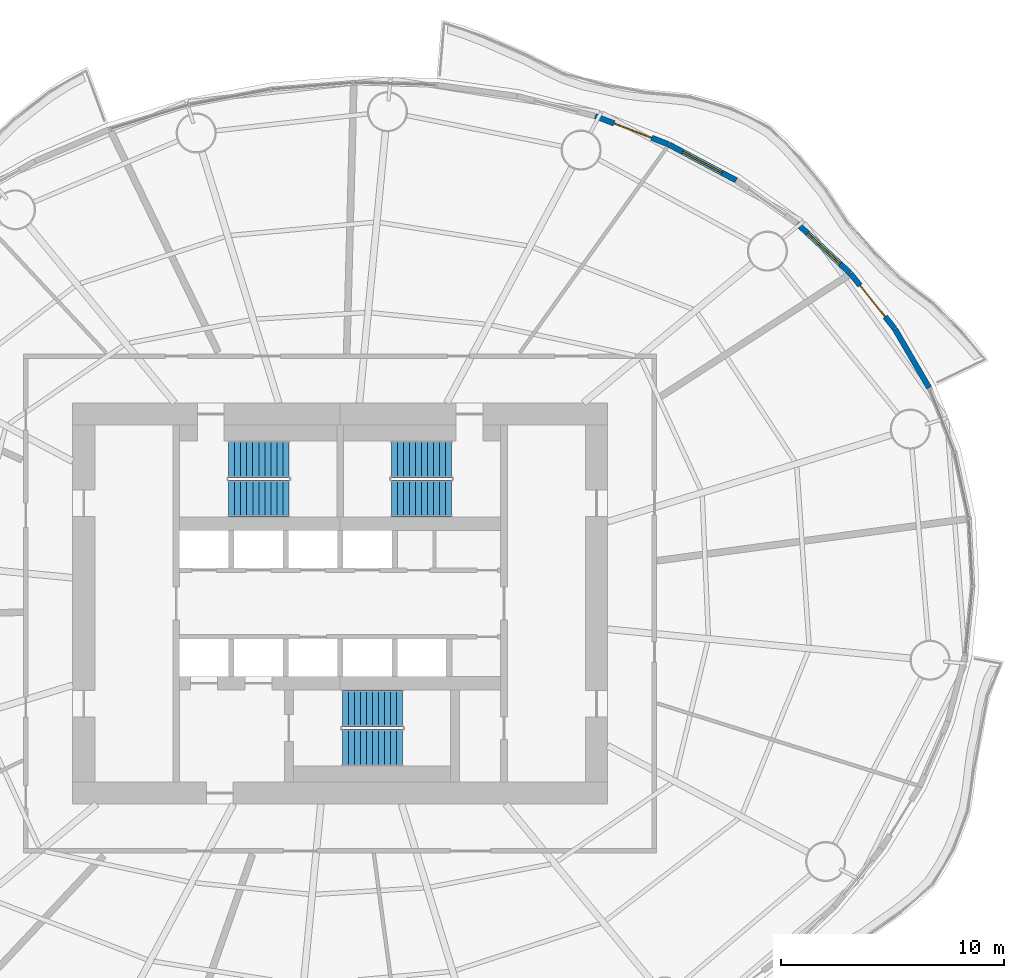
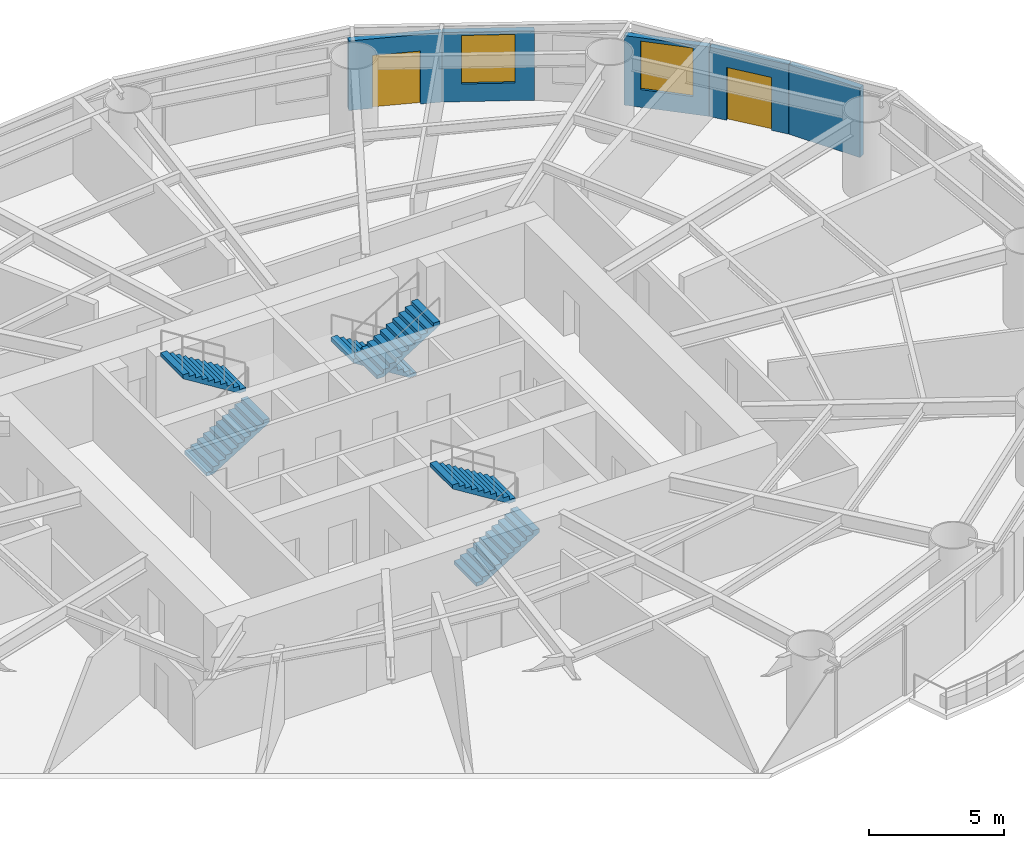
# One storey, part 11 of 16: 6 stair flights, 5 walls, 2 doors, 2 windows, 4 openings, 3 elements without a shape of their own.
"""IFC4 building model written with IfcOpenShell, lengths in metres."""

from ifc_helpers import new_model, si_unit, direction, frame, frame_2d, origin, place, context, subcontext, project, spatial, polyline, rectangle, outline, extrude, material, layer, layer_set, type_object, element, fill, aggregate, save


model = new_model("IFC4")

# Units and contexts
model_context = context("Model", 3, precision=1e-05, world=origin(), true_north=direction((0.0, 1.0)))
body_context = subcontext(model_context, "Body", "Model", "MODEL_VIEW")
ifc_project = project(units=[si_unit("LENGTHUNIT", "METRE"), si_unit("AREAUNIT", "SQUARE_METRE"), si_unit("VOLUMEUNIT", "CUBIC_METRE"), si_unit("PLANEANGLEUNIT", "RADIAN"), si_unit("MASSUNIT", "GRAM", prefix="KILO")], contexts=[model_context])

# Site, building, storey
site_placement = place(None, origin())
site = spatial("IfcSite", under=ifc_project, at=site_placement, CompositionType="ELEMENT")
building_placement = place(site_placement, origin())
building = spatial("IfcBuilding", under=site, at=building_placement, Name="Vermilion Reach Broadcast Tower", CompositionType="ELEMENT")
storey_placement = place(building_placement, frame((0.0, 0.0, 65.60009765625)))
storey = spatial("IfcBuildingStorey", under=building, at=storey_placement, Name="L13", CompositionType="ELEMENT", Elevation=65.60009765625)

# Wall
ifc_material_1 = material(Name="Terracotta rainscreen cladding", Category="masonry")
ifc_layer = layer(ifc_material_1, 0.25)
ifc_layer_set = layer_set([ifc_layer], Name="Terracotta rainscreen wall 250")
wall_type = type_object("IfcWallType", Name="Terracotta rainscreen wall 250", PredefinedType="SOLIDWALL", material=ifc_layer_set)
wall_1_placement = place(storey_placement, frame((20.420654296875, 9.675537109375, 0.0), z_axis=(0.0, 0.0, 1.0), x_axis=(-0.502779258101, 0.864414841163, 0.0)))
element("IfcWall", 1, at=wall_1_placement, inside=storey, type_object=wall_type, Name="External wall L13 02", PredefinedType="SOLIDWALL", context=body_context, shape_type="SweptSolid", body=[
    extrude(rectangle(XDim=3.046142578125, YDim=0.25, at=frame_2d((1.52294921875, 0.0))), origin(), (0.0, 0.0, 1.0), 3.14990234375),
])

# Wall, opening, door
wall_2_placement = place(storey_placement, frame((18.874267578125, 12.33056640625, 0.0), z_axis=(0.0, 0.0, 1.0), x_axis=(-0.625543346061, 0.780189414308, 0.0)))
wall_2 = element("IfcWall", 2, at=wall_2_placement, inside=storey, type_object=wall_type, Name="External wall L13 03", PredefinedType="SOLIDWALL", context=body_context, shape_type="SweptSolid", body=[
    extrude(rectangle(XDim=3.157470703125, YDim=0.25, at=frame_2d((1.57861328125, 0.0))), origin(), (0.0, 0.0, 1.0), 3.14990234375),
])
opening_1_placement = place(wall_2_placement, frame((0.678955078125, 0.0, 0.0)))
opening_1 = element("IfcOpeningElement", 3, at=opening_1_placement, cuts=wall_2, Name="Opening D70", PredefinedType="OPENING", context=body_context, shape_type="SweptSolid", body=[
    extrude(rectangle(XDim=1.800048828125, YDim=2.39990234375, at=frame_2d((0.89990234375, 1.199951171875))), frame((0.0, 0.135009765625, 0.0), z_axis=(0.0, -1.0, 0.0), x_axis=(1.0, 0.0, 0.0)), (0.0, 0.0, 1.0), 0.27001953125),
])
ifc_material_2 = material(Name="Low-e laminated clear glass in aluminium frame", Category="aluminium")
door_type = type_object("IfcDoorType", Name="Balcony sliding door 1800 x 2400", OperationType="DOUBLE_DOOR_SLIDING", PredefinedType="DOOR", material=ifc_material_2)
door_1_placement = place(opening_1_placement, origin())
door_1 = element("IfcDoor", 4, at=door_1_placement, inside=storey, type_object=door_type, Name="Balcony door L13 run 01", OperationType="DOUBLE_DOOR_SLIDING", OverallHeight=2.39990234375, OverallWidth=1.800048828125, PredefinedType="DOOR", context=body_context, shape_type="SweptSolid", body=[
    extrude(rectangle(XDim=1.800048828125, YDim=2.39990234375, at=frame_2d((0.89990234375, 1.199951171875))), frame((0.0, 0.02490234375, 0.0), z_axis=(0.0, -1.0, 0.0), x_axis=(1.0, 0.0, 0.0)), (0.0, 0.0, 1.0), 0.050048828125),
])
fill(opening_1, door_1)

# Wall, opening, window
wall_3_placement = place(storey_placement, frame((16.8818359375, 14.812744140625, 0.0), z_axis=(0.0, 0.0, 1.0), x_axis=(-0.729856637525, 0.68360024039, 0.0)))
wall_3 = element("IfcWall", 5, at=wall_3_placement, inside=storey, type_object=wall_type, Name="External wall L13 04", PredefinedType="SOLIDWALL", context=body_context, shape_type="SweptSolid", body=[
    extrude(rectangle(XDim=3.24072265625, YDim=0.25, at=frame_2d((1.620361328125, 0.0))), origin(), (0.0, 0.0, 1.0), 3.14990234375),
])
opening_2_placement = place(wall_3_placement, frame((0.620361328125, 0.0, 0.800048828125)))
opening_2 = element("IfcOpeningElement", 6, at=opening_2_placement, cuts=wall_3, Name="Opening W01", PredefinedType="OPENING", context=body_context, shape_type="SweptSolid", body=[
    extrude(rectangle(XDim=2.0, YDim=2.199951171875, at=frame_2d((1.0, 1.10009765625))), frame((0.0, 0.135009765625, 0.0), z_axis=(0.0, -1.0, 0.0), x_axis=(1.0, 0.0, 0.0)), (0.0, 0.0, 1.0), 0.27001953125),
])
ifc_material_3 = material(Name="Low-e laminated clear glass in aluminium frame", Category="aluminium")
window_type = type_object("IfcWindowType", Name="Punched window 2000 x 2200 sill 800", PartitioningType="SINGLE_PANEL", PredefinedType="WINDOW", material=ifc_material_3)
window_1_placement = place(opening_2_placement, origin())
window_1 = element("IfcWindow", 7, at=window_1_placement, inside=storey, type_object=window_type, Name="Window L13 04", OverallHeight=2.199951171875, OverallWidth=2.0, PartitioningType="SINGLE_PANEL", PredefinedType="WINDOW", context=body_context, shape_type="SweptSolid", body=[
    extrude(rectangle(XDim=2.0, YDim=2.199951171875, at=frame_2d((1.0, 1.10009765625))), frame((0.0, 0.030029296875, 0.0), z_axis=(0.0, -1.0, 0.0), x_axis=(1.0, 0.0, 0.0)), (0.0, 0.0, 1.0), 0.06005859375),
])
fill(opening_2, window_1)

wall_4_placement = place(storey_placement, frame((11.7607421875, 18.985107421875, 0.0), z_axis=(0.0, 0.0, 1.0), x_axis=(-0.882781118704, 0.469784521308, 0.0)))
wall_4 = element("IfcWall", 8, at=wall_4_placement, inside=storey, type_object=wall_type, Name="External wall L13 06", PredefinedType="SOLIDWALL", context=body_context, shape_type="SweptSolid", body=[
    extrude(rectangle(XDim=3.422119140625, YDim=0.25, at=frame_2d((1.7109375, 0.0))), origin(), (0.0, 0.0, 1.0), 3.14990234375),
])
opening_3_placement = place(wall_4_placement, frame((0.711181640625, 0.0, 0.800048828125)))
opening_3 = element("IfcOpeningElement", 9, at=opening_3_placement, cuts=wall_4, Name="Opening W01", PredefinedType="OPENING", context=body_context, shape_type="SweptSolid", body=[
    extrude(rectangle(XDim=2.0, YDim=2.199951171875, at=frame_2d((1.0, 1.10009765625))), frame((0.0, 0.135009765625, 0.0), z_axis=(0.0, -1.0, 0.0), x_axis=(1.0, 0.0, 0.0)), (0.0, 0.0, 1.0), 0.27001953125),
])
window_2_placement = place(opening_3_placement, origin())
window_2 = element("IfcWindow", 10, at=window_2_placement, inside=storey, type_object=window_type, Name="Window L13 06", OverallHeight=2.199951171875, OverallWidth=2.0, PartitioningType="SINGLE_PANEL", PredefinedType="WINDOW", context=body_context, shape_type="SweptSolid", body=[
    extrude(rectangle(XDim=2.0, YDim=2.199951171875, at=frame_2d((1.0, 1.10009765625))), frame((0.0, 0.030029296875, 0.0), z_axis=(0.0, -1.0, 0.0), x_axis=(1.0, 0.0, 0.0)), (0.0, 0.0, 1.0), 0.06005859375),
])
fill(opening_3, window_2)

# Wall, opening, door
wall_5_placement = place(storey_placement, frame((8.718505859375, 20.6025390625, 0.0), z_axis=(0.0, 0.0, 1.0), x_axis=(-0.933440649203, 0.358731869808, 0.0)))
wall_5 = element("IfcWall", 11, at=wall_5_placement, inside=storey, type_object=wall_type, Name="External wall L13 07", PredefinedType="SOLIDWALL", context=body_context, shape_type="SweptSolid", body=[
    extrude(rectangle(XDim=3.507568359375, YDim=0.25, at=frame_2d((1.75390625, 0.0))), origin(), (0.0, 0.0, 1.0), 3.14990234375),
])
opening_4_placement = place(wall_5_placement, frame((0.803955078125, 0.0, 0.0)))
opening_4 = element("IfcOpeningElement", 12, at=opening_4_placement, cuts=wall_5, Name="Opening D70", PredefinedType="OPENING", context=body_context, shape_type="SweptSolid", body=[
    extrude(rectangle(XDim=1.800048828125, YDim=2.39990234375, at=frame_2d((0.89990234375, 1.199951171875))), frame((0.0, 0.135009765625, 0.0), z_axis=(0.0, -1.0, 0.0), x_axis=(1.0, 0.0, 0.0)), (0.0, 0.0, 1.0), 0.27001953125),
])
door_2_placement = place(opening_4_placement, origin())
door_2 = element("IfcDoor", 13, at=door_2_placement, inside=storey, type_object=door_type, Name="Balcony door L13 run 02", OperationType="DOUBLE_DOOR_SLIDING", OverallHeight=2.39990234375, OverallWidth=1.800048828125, PredefinedType="DOOR", context=body_context, shape_type="SweptSolid", body=[
    extrude(rectangle(XDim=1.800048828125, YDim=2.39990234375, at=frame_2d((0.89990234375, 1.199951171875))), frame((0.0, 0.02490234375, 0.0), z_axis=(0.0, -1.0, 0.0), x_axis=(1.0, 0.0, 0.0)), (0.0, 0.0, 1.0), 0.050048828125),
])
fill(opening_4, door_2)

# Stair, stair flights
ifc_material_4 = material(Name="Concrete C40", Category="concrete")
stair_type = type_object("IfcStairType", Name="Exit stair RC 22 risers 168 mm", PredefinedType="HALF_TURN_STAIR", material=ifc_material_4)
placement = place(storey_placement, origin())
stair_1 = element("IfcStair", 14, at=placement, inside=storey, type_object=stair_type, Name="L13 Exit stair ST1", PredefinedType="HALF_TURN_STAIR")
ifc_material_5 = material(Name="Concrete C40", Category="concrete")
stair_flight_type = type_object("IfcStairFlightType", Name="Exit stair flight RC 11 risers", PredefinedType="STRAIGHT", material=ifc_material_5)
stair_flight_1_placement = place(storey_placement, frame((-11.0, 4.7099609375, 0.0), z_axis=(0.0, 0.0, 1.0), x_axis=(1.0, 0.0, 0.0)))
stair_flight_1 = element("IfcStairFlight", 15, at=stair_flight_1_placement, type_object=stair_flight_type, Name="ST1 flight 1", NumberOfRisers=11, NumberOfTreads=10, PredefinedType="STRAIGHT", RiserHeight=0.168181818, TreadLength=0.27, context=body_context, shape_type="SweptSolid", body=[
    extrude(outline(polyline([(0.0, 0.0), (0.0, 0.168212890625), (0.27001953125, 0.168212890625), (0.27001953125, 0.33642578125), (0.5400390625, 0.33642578125), (0.5400390625, 0.504638671875), (0.81005859375, 0.504638671875), (0.81005859375, 0.672607421875), (1.080078125, 0.672607421875), (1.080078125, 0.8408203125), (1.35009765625, 0.8408203125), (1.35009765625, 1.009033203125), (1.6201171875, 1.009033203125), (1.6201171875, 1.17724609375), (1.889892578125, 1.17724609375), (1.889892578125, 1.345458984375), (2.159912109375, 1.345458984375), (2.159912109375, 1.513671875), (2.429931640625, 1.513671875), (2.429931640625, 1.681884765625), (2.699951171875, 1.681884765625), (2.699951171875, 1.85009765625), (2.699951171875, 1.505126953125), (0.283447265625, 0.0), (0.0, 0.0)])), frame((0.0, 0.830078125, 0.0), z_axis=(0.0, -1.0, 0.0), x_axis=(1.0, 0.0, 0.0)), (0.0, 0.0, 1.0), 1.659912109375),
])
stair_flight_2_placement = place(storey_placement, frame((-8.300048828125, 6.469970703125, 1.849853515625), z_axis=(0.0, 0.0, 1.0), x_axis=(-1.0, 0.0, 0.0)))
stair_flight_2 = element("IfcStairFlight", 16, at=stair_flight_2_placement, type_object=stair_flight_type, Name="ST1 flight 2", NumberOfRisers=11, NumberOfTreads=10, PredefinedType="STRAIGHT", RiserHeight=0.168181818, TreadLength=0.27, context=body_context, shape_type="SweptSolid", body=[
    extrude(outline(polyline([(0.0, 0.0), (0.0, 0.168212890625), (0.27001953125, 0.168212890625), (0.27001953125, 0.33642578125), (0.5400390625, 0.33642578125), (0.5400390625, 0.504638671875), (0.81005859375, 0.504638671875), (0.81005859375, 0.672607421875), (1.080078125, 0.672607421875), (1.080078125, 0.8408203125), (1.35009765625, 0.8408203125), (1.35009765625, 1.009033203125), (1.6201171875, 1.009033203125), (1.6201171875, 1.17724609375), (1.889892578125, 1.17724609375), (1.889892578125, 1.345458984375), (2.159912109375, 1.345458984375), (2.159912109375, 1.513671875), (2.429931640625, 1.513671875), (2.429931640625, 1.681884765625), (2.699951171875, 1.681884765625), (2.699951171875, 1.85009765625), (2.699951171875, 1.505126953125), (0.283447265625, 0.0), (0.0, 0.0)])), frame((0.0, 0.830078125, 0.0), z_axis=(0.0, -1.0, 0.0), x_axis=(1.0, 0.0, 0.0)), (0.0, 0.0, 1.0), 1.659912109375),
])
aggregate(stair_1, [stair_flight_1, stair_flight_2])

stair_2 = element("IfcStair", 17, at=placement, inside=storey, type_object=stair_type, Name="L13 Exit stair ST2", PredefinedType="HALF_TURN_STAIR")
stair_flight_3_placement = place(storey_placement, frame((-1.0, 6.469970703125, 0.0), z_axis=(0.0, 0.0, 1.0), x_axis=(-1.0, 0.0, 0.0)))
stair_flight_3 = element("IfcStairFlight", 18, at=stair_flight_3_placement, type_object=stair_flight_type, Name="ST2 flight 1", NumberOfRisers=11, NumberOfTreads=10, PredefinedType="STRAIGHT", RiserHeight=0.168181818, TreadLength=0.27, context=body_context, shape_type="SweptSolid", body=[
    extrude(outline(polyline([(0.0, 0.0), (0.0, 0.168212890625), (0.27001953125, 0.168212890625), (0.27001953125, 0.33642578125), (0.5400390625, 0.33642578125), (0.5400390625, 0.504638671875), (0.81005859375, 0.504638671875), (0.81005859375, 0.672607421875), (1.080078125, 0.672607421875), (1.080078125, 0.8408203125), (1.35009765625, 0.8408203125), (1.35009765625, 1.009033203125), (1.6201171875, 1.009033203125), (1.6201171875, 1.17724609375), (1.889892578125, 1.17724609375), (1.889892578125, 1.345458984375), (2.159912109375, 1.345458984375), (2.159912109375, 1.513671875), (2.429931640625, 1.513671875), (2.429931640625, 1.681884765625), (2.699951171875, 1.681884765625), (2.699951171875, 1.85009765625), (2.699951171875, 1.505126953125), (0.283447265625, 0.0), (0.0, 0.0)])), frame((0.0, 0.830078125, 0.0), z_axis=(0.0, -1.0, 0.0), x_axis=(1.0, 0.0, 0.0)), (0.0, 0.0, 1.0), 1.659912109375),
])
stair_flight_4_placement = place(storey_placement, frame((-3.699951171875, 4.7099609375, 1.849853515625), z_axis=(0.0, 0.0, 1.0), x_axis=(1.0, 0.0, 0.0)))
stair_flight_4 = element("IfcStairFlight", 19, at=stair_flight_4_placement, type_object=stair_flight_type, Name="ST2 flight 2", NumberOfRisers=11, NumberOfTreads=10, PredefinedType="STRAIGHT", RiserHeight=0.168181818, TreadLength=0.27, context=body_context, shape_type="SweptSolid", body=[
    extrude(outline(polyline([(0.0, 0.0), (0.0, 0.168212890625), (0.27001953125, 0.168212890625), (0.27001953125, 0.33642578125), (0.5400390625, 0.33642578125), (0.5400390625, 0.504638671875), (0.81005859375, 0.504638671875), (0.81005859375, 0.672607421875), (1.080078125, 0.672607421875), (1.080078125, 0.8408203125), (1.35009765625, 0.8408203125), (1.35009765625, 1.009033203125), (1.6201171875, 1.009033203125), (1.6201171875, 1.17724609375), (1.889892578125, 1.17724609375), (1.889892578125, 1.345458984375), (2.159912109375, 1.345458984375), (2.159912109375, 1.513671875), (2.429931640625, 1.513671875), (2.429931640625, 1.681884765625), (2.699951171875, 1.681884765625), (2.699951171875, 1.85009765625), (2.699951171875, 1.505126953125), (0.283447265625, 0.0), (0.0, 0.0)])), frame((0.0, 0.830078125, 0.0), z_axis=(0.0, -1.0, 0.0), x_axis=(1.0, 0.0, 0.0)), (0.0, 0.0, 1.0), 1.659912109375),
])
aggregate(stair_2, [stair_flight_3, stair_flight_4])

stair_3 = element("IfcStair", 20, at=placement, inside=storey, type_object=stair_type, Name="L13 Exit stair ST3", PredefinedType="HALF_TURN_STAIR")
stair_flight_5_placement = place(storey_placement, frame((-5.89990234375, -6.469970703125, 0.0), z_axis=(0.0, 0.0, 1.0), x_axis=(1.0, 0.0, 0.0)))
stair_flight_5 = element("IfcStairFlight", 21, at=stair_flight_5_placement, type_object=stair_flight_type, Name="ST3 flight 1", NumberOfRisers=11, NumberOfTreads=10, PredefinedType="STRAIGHT", RiserHeight=0.168181818, TreadLength=0.27, context=body_context, shape_type="SweptSolid", body=[
    extrude(outline(polyline([(0.0, 0.0), (0.0, 0.168212890625), (0.27001953125, 0.168212890625), (0.27001953125, 0.33642578125), (0.5400390625, 0.33642578125), (0.5400390625, 0.504638671875), (0.81005859375, 0.504638671875), (0.81005859375, 0.672607421875), (1.080078125, 0.672607421875), (1.080078125, 0.8408203125), (1.35009765625, 0.8408203125), (1.35009765625, 1.009033203125), (1.6201171875, 1.009033203125), (1.6201171875, 1.17724609375), (1.889892578125, 1.17724609375), (1.889892578125, 1.345458984375), (2.159912109375, 1.345458984375), (2.159912109375, 1.513671875), (2.429931640625, 1.513671875), (2.429931640625, 1.681884765625), (2.699951171875, 1.681884765625), (2.699951171875, 1.85009765625), (2.699951171875, 1.505126953125), (0.283447265625, 0.0), (0.0, 0.0)])), frame((0.0, 0.830078125, 0.0), z_axis=(0.0, -1.0, 0.0), x_axis=(1.0, 0.0, 0.0)), (0.0, 0.0, 1.0), 1.659912109375),
])
stair_flight_6_placement = place(storey_placement, frame((-3.199951171875, -4.7099609375, 1.849853515625), z_axis=(0.0, 0.0, 1.0), x_axis=(-1.0, 0.0, 0.0)))
stair_flight_6 = element("IfcStairFlight", 22, at=stair_flight_6_placement, type_object=stair_flight_type, Name="ST3 flight 2", NumberOfRisers=11, NumberOfTreads=10, PredefinedType="STRAIGHT", RiserHeight=0.168181818, TreadLength=0.27, context=body_context, shape_type="SweptSolid", body=[
    extrude(outline(polyline([(0.0, 0.0), (0.0, 0.168212890625), (0.27001953125, 0.168212890625), (0.27001953125, 0.33642578125), (0.5400390625, 0.33642578125), (0.5400390625, 0.504638671875), (0.81005859375, 0.504638671875), (0.81005859375, 0.672607421875), (1.080078125, 0.672607421875), (1.080078125, 0.8408203125), (1.35009765625, 0.8408203125), (1.35009765625, 1.009033203125), (1.6201171875, 1.009033203125), (1.6201171875, 1.17724609375), (1.889892578125, 1.17724609375), (1.889892578125, 1.345458984375), (2.159912109375, 1.345458984375), (2.159912109375, 1.513671875), (2.429931640625, 1.513671875), (2.429931640625, 1.681884765625), (2.699951171875, 1.681884765625), (2.699951171875, 1.85009765625), (2.699951171875, 1.505126953125), (0.283447265625, 0.0), (0.0, 0.0)])), frame((0.0, 0.830078125, 0.0), z_axis=(0.0, -1.0, 0.0), x_axis=(1.0, 0.0, 0.0)), (0.0, 0.0, 1.0), 1.659912109375),
])
aggregate(stair_3, [stair_flight_5, stair_flight_6])

save(model, "model.ifc")
